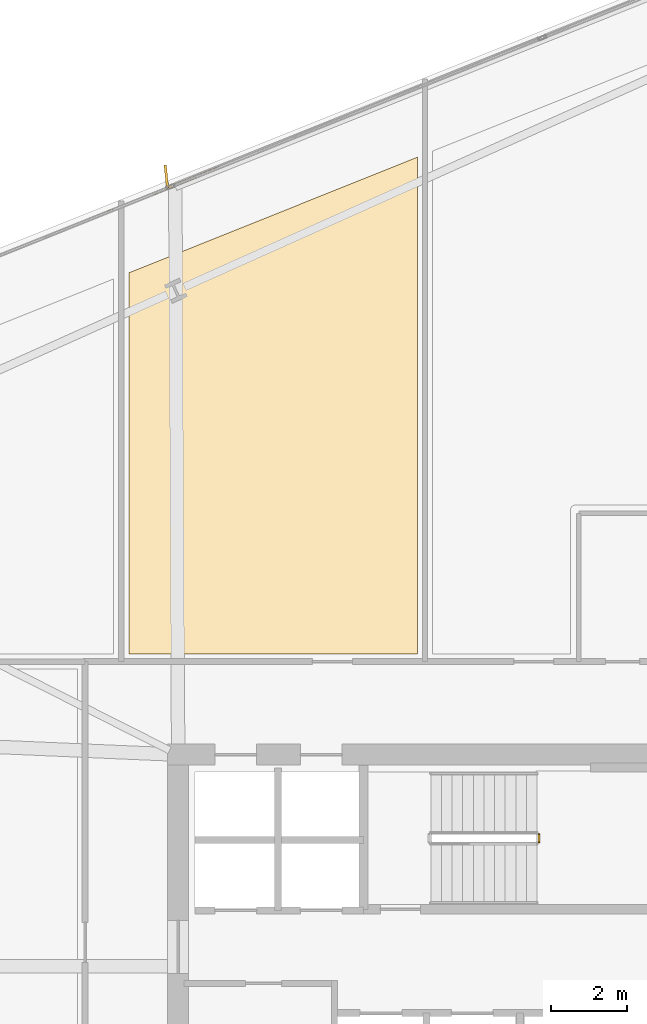
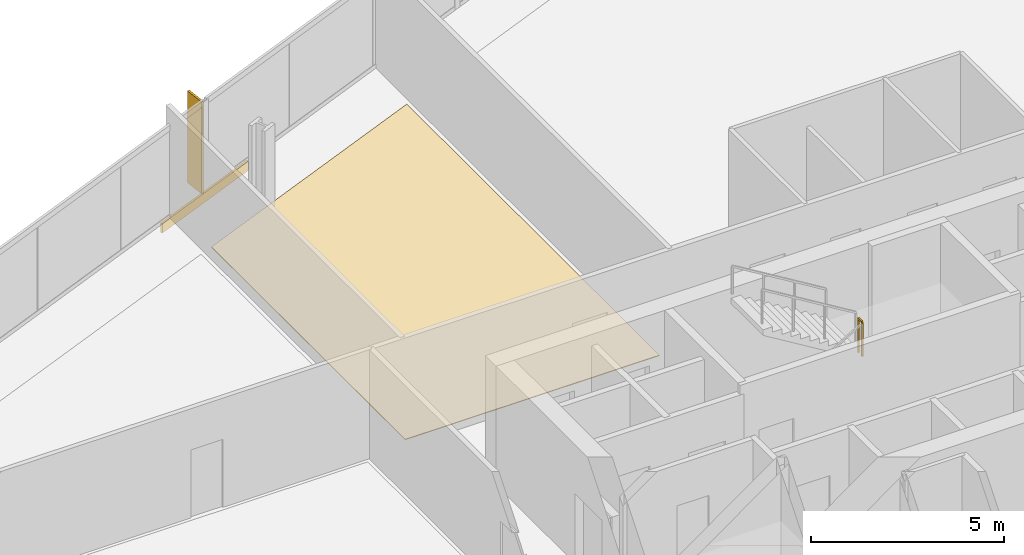
# One storey, part 32 of 33: 2 coverings, 1 railing, 1 shading device.
"""IFC4 building model written with IfcOpenShell, lengths in metres."""

from ifc_helpers import new_model, si_unit, direction, frame, origin, origin_2d, place, context, subcontext, project, spatial, polyline, rectangle, outline, extrude, source, transform, mapped, material, layer, layer_set, type_object, element, save


model = new_model("IFC4")

# Units and contexts
model_context = context("Model", 3, precision=1e-05, world=origin(), true_north=direction((0.0, 1.0)))
body_context = subcontext(model_context, "Body", "Model", "MODEL_VIEW")
ifc_project = project(units=[si_unit("LENGTHUNIT", "METRE"), si_unit("AREAUNIT", "SQUARE_METRE"), si_unit("VOLUMEUNIT", "CUBIC_METRE"), si_unit("PLANEANGLEUNIT", "RADIAN"), si_unit("MASSUNIT", "GRAM", prefix="KILO")], contexts=[model_context])

# Site, building, storey
site_placement = place(None, origin())
site = spatial("IfcSite", under=ifc_project, at=site_placement, CompositionType="ELEMENT")
building_placement = place(site_placement, origin())
building = spatial("IfcBuilding", under=site, at=building_placement, Name="Haldenkirk Collegiate Tower", CompositionType="ELEMENT")
storey_placement = place(building_placement, frame((0.0, 0.0, 101.699951171875)))
storey = spatial("IfcBuildingStorey", under=building, at=storey_placement, Name="L24", CompositionType="ELEMENT", Elevation=101.699951171875)

# Covering
ifc_material_1 = material(Name="Engineered collegiate oak acoustic flooring", Category="wood")
ifc_layer_1 = layer(ifc_material_1, 0.02197265625)
ifc_layer_set_1 = layer_set([ifc_layer_1], Name="Engineered collegiate oak acoustic flooring")
covering_type_1 = type_object("IfcCoveringType", Name="COV-FLOOR-TIMBER", PredefinedType="FLOORING", material=ifc_layer_set_1)
covering_1_placement = place(storey_placement, origin())
element("IfcCovering", 1, at=covering_1_placement, inside=storey, type_object=covering_type_1, Name="L24 academic room finish 05", PredefinedType="FLOORING", context=body_context, shape_type="SweptSolid", body=[
    extrude(outline(polyline([(33.300048828125, 49.729736328125), (33.300048828125, 36.64990234375), (25.699951171875, 36.64990234375), (25.699951171875, 46.682373046875), (33.300048828125, 49.729736328125)])), origin(), (0.0, 0.0, 1.0), 0.02197265625),
])

# Railing
ifc_material_2 = material(Name="Painted architectural tubular steel", Category="steel")
railing_type = type_object("IfcRailingType", Name="RLG-STAIR-GUARD-1100", PredefinedType="BALUSTRADE", material=ifc_material_2)
railing_placement = place(storey_placement, frame((36.5, 31.699951171875, 1.875)))
element("IfcRailing", 2, at=railing_placement, inside=storey, type_object=railing_type, Name="L24 ST-3 stair guard 2", PredefinedType="BALUSTRADE", context=body_context, shape_type="SweptSolid", body=[
    extrude(rectangle(XDim=0.048095703125, YDim=0.048095703125, at=origin_2d()), frame((0.0, 0.0, 1.076171875), z_axis=(0.0, 1.0, 0.0), x_axis=(-1.0, 0.0, 0.0)), (0.0, 0.0, 1.0), 0.199951171875),
    extrude(rectangle(XDim=0.0419921875, YDim=0.0419921875, at=origin_2d()), origin(), (0.0, 0.0, 1.0), 1.052001953125),
    extrude(rectangle(XDim=0.0419921875, YDim=0.0419921875, at=origin_2d()), frame((0.0, 0.199951171875, 0.0)), (0.0, 0.0, 1.0), 1.052001953125),
])

# Covering
ifc_material_3 = material(Name="Anodised architectural bronze aluminium", Category="aluminium")
ifc_layer_2 = layer(ifc_material_3, 0.06005859375)
ifc_layer_set_2 = layer_set([ifc_layer_2], Name="Anodised architectural bronze aluminium")
covering_type_2 = type_object("IfcCoveringType", Name="COV-CLAD-BRONZE-60", PredefinedType="CLADDING", material=ifc_layer_set_2)
shared_shape_1 = source(origin(), body_context, "Body", "SweptSolid", [
    extrude(rectangle(XDim=3.60009765625, YDim=0.06005859375, at=origin_2d()), origin(), (0.0, 0.0, 1.0), 0.300048828125),
])
covering_2_placement = place(storey_placement, frame((26.7998046875, 48.944091796875, -0.2998046875), z_axis=(0.0, 0.0, 1.0), x_axis=(0.928161393808, 0.372177950778, 0.0)))
element("IfcCovering", 3, at=covering_2_placement, inside=storey, type_object=covering_type_2, Name="L24 architectural bronze spandrel cladding N", PredefinedType="CLADDING", context=body_context, shape_type="MappedRepresentation", body=[
    mapped(shared_shape_1, transform((0.0, 0.0, 0.0), x_axis=(1.0, 0.0, 0.0), y_axis=(0.0, 1.0, 0.0), z_axis=(0.0, 0.0, 1.0), scale=1.0)),
])

# Shading device
ifc_layer_3 = layer(ifc_material_3, 0.06494140625)
ifc_layer_set_3 = layer_set([ifc_layer_3], Name="Anodised architectural bronze aluminium")
shading_device_type = type_object("IfcShadingDeviceType", Name="SHD-FIN-BRONZE-620", PredefinedType="USERDEFINED", material=ifc_layer_set_3)
shared_shape_2 = source(origin(), body_context, "Body", "SweptSolid", [
    extrude(rectangle(XDim=0.6201171875, YDim=0.06494140625, at=origin_2d()), origin(), (0.0, 0.0, 1.0), 2.90087890625),
])
shading_device_placement = place(storey_placement, frame((26.68994140625, 49.218017578125, 0.0), z_axis=(0.0, 0.0, 1.0), x_axis=(-0.101924455795, 0.994792141762, 0.0)))
element("IfcShadingDevice", 4, at=shading_device_placement, inside=storey, type_object=shading_device_type, Name="L24 folded bronze solar fin 1", ObjectType="FIN", PredefinedType="USERDEFINED", context=body_context, shape_type="MappedRepresentation", body=[
    mapped(shared_shape_2, transform((0.0, 0.0, 0.0), x_axis=(1.0, 0.0, 0.0), y_axis=(0.0, 1.0, 0.0), z_axis=(0.0, 0.0, 1.0), scale=1.0)),
])

save(model, "model.ifc")
